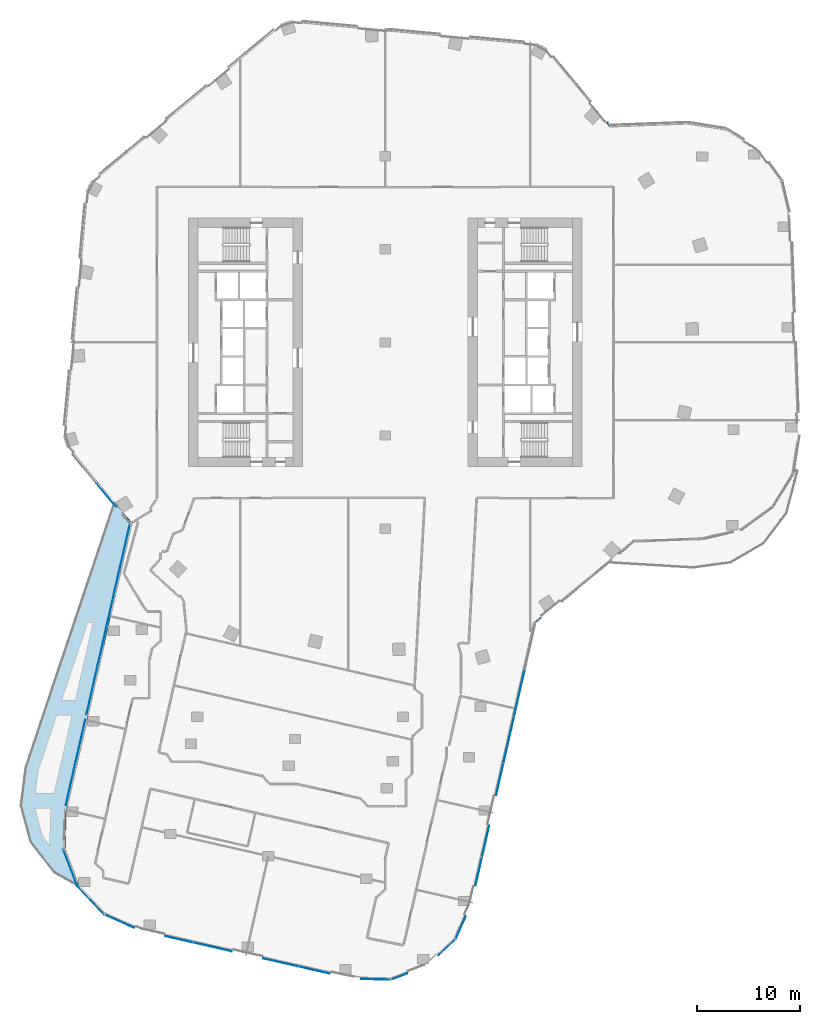
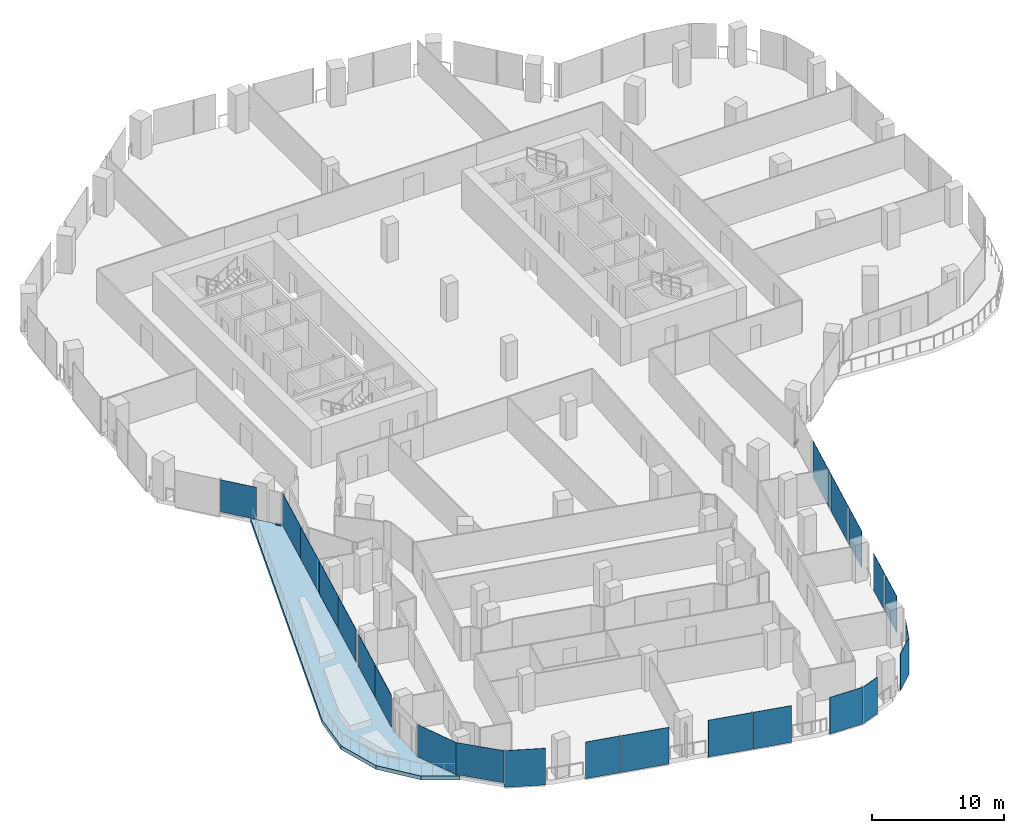
# One storey, part 12 of 28: 23 plates, 3 members, 1 slab, 13 elements without a shape of their own.
"""IFC4 building model written with IfcOpenShell, lengths in metres."""

from ifc_helpers import new_model, si_unit, direction, frame, origin, origin_2d, place, context, subcontext, project, spatial, polyline, rectangle, outline, extrude, material, layer, layer_set, material_profile, profile_set, type_object, element, aggregate, save


model = new_model("IFC4")

# Units and contexts
model_context = context("Model", 3, precision=1e-05, world=origin(), true_north=direction((0.0, 1.0)))
body_context = subcontext(model_context, "Body", "Model", "MODEL_VIEW")
ifc_project = project(units=[si_unit("LENGTHUNIT", "METRE"), si_unit("AREAUNIT", "SQUARE_METRE"), si_unit("VOLUMEUNIT", "CUBIC_METRE"), si_unit("PLANEANGLEUNIT", "RADIAN"), si_unit("MASSUNIT", "GRAM", prefix="KILO")], contexts=[model_context])

# Site, building, storey
site_placement = place(None, origin())
site = spatial("IfcSite", under=ifc_project, at=site_placement, CompositionType="ELEMENT")
building_placement = place(site_placement, origin())
building = spatial("IfcBuilding", under=site, at=building_placement, Name="Orlundy Tower", CompositionType="ELEMENT")
storey_placement = place(building_placement, frame((0.0, 0.0, 167.10009765625)))
storey = spatial("IfcBuildingStorey", under=building, at=storey_placement, Name="L43", CompositionType="ELEMENT", Elevation=167.10009765625)

# Curtain wall, member
ifc_material_1 = material(Name="Aluminium bronze anodised", Category="aluminium")
curtain_wall_type = type_object("IfcCurtainWallType", Name="CW1 wall", PredefinedType="NOTDEFINED", material=ifc_material_1)
curtain_wall_1_placement = place(storey_placement, origin())
curtain_wall_1 = element("IfcCurtainWall", 1, at=curtain_wall_1_placement, inside=storey, type_object=curtain_wall_type, Name="CW1 run 01", PredefinedType="NOTDEFINED")
ifc_material_2 = material(Name="Aluminium bronze anodised", Category="aluminium")
ifc_material_profile = material_profile(ifc_material_2, rectangle(XDim=0.179931640625, YDim=0.1201171875, at=origin_2d()), Name="CW1 transom 180x120")
ifc_profile_set = profile_set([ifc_material_profile], Name="Aluminium bronze anodised")
member_type = type_object("IfcMemberType", Name="CW1 transom 180x120", PredefinedType="USERDEFINED", material=ifc_profile_set)
member_1_placement = place(storey_placement, frame((-24.64599609375, -17.41796875, 0.059814453125), z_axis=(-0.638484250008, 0.769634889081, 0.0), x_axis=(-0.769634889081, -0.638484250008, 0.0)))
member_1 = element("IfcMember", 2, at=member_1_placement, type_object=member_type, Name="CW1 transom", ObjectType="TRANSOM", PredefinedType="USERDEFINED", context=body_context, shape_type="SweptSolid", body=[
    extrude(rectangle(XDim=0.179931640625, YDim=0.1201171875, at=origin_2d()), origin(), (0.0, 0.0, 1.0), 0.523193359375),
])

curtain_wall_2_placement = place(storey_placement, origin())
curtain_wall_2 = element("IfcCurtainWall", 3, at=curtain_wall_2_placement, inside=storey, type_object=curtain_wall_type, Name="CW1 run 05", PredefinedType="NOTDEFINED")
member_2_placement = place(storey_placement, frame((21.413330078125, 21.315673828125, -0.360107421875), z_axis=(0.638344869831, -0.769750496694, 0.0), x_axis=(0.769750496694, 0.638344869831, 0.0)))
member_2 = element("IfcMember", 4, at=member_2_placement, type_object=member_type, Name="CW1 transom", ObjectType="TRANSOM", PredefinedType="USERDEFINED", context=body_context, shape_type="SweptSolid", body=[
    extrude(rectangle(XDim=0.179931640625, YDim=0.1201171875, at=origin_2d()), origin(), (0.0, 0.0, 1.0), 0.39208984375),
])
aggregate(curtain_wall_2, [member_2])

curtain_wall_3_placement = place(storey_placement, origin())
curtain_wall_3 = element("IfcCurtainWall", 5, at=curtain_wall_3_placement, inside=storey, type_object=curtain_wall_type, Name="CW1 run 017", PredefinedType="NOTDEFINED")
member_3_placement = place(storey_placement, frame((15.067138671875, -26.595458984375, -0.360107421875), z_axis=(-0.769912194939, -0.638149835136, 0.0), x_axis=(0.638149835136, -0.769912194939, 0.0)))
member_3 = element("IfcMember", 6, at=member_3_placement, type_object=member_type, Name="CW1 transom", ObjectType="TRANSOM", PredefinedType="USERDEFINED", context=body_context, shape_type="SweptSolid", body=[
    extrude(rectangle(XDim=0.179931640625, YDim=0.1201171875, at=origin_2d()), origin(), (0.0, 0.0, 1.0), 0.720703125),
])
aggregate(curtain_wall_3, [member_3])

# Curtain wall, plates
curtain_wall_4_placement = place(storey_placement, origin())
curtain_wall_4 = element("IfcCurtainWall", 7, at=curtain_wall_4_placement, inside=storey, type_object=curtain_wall_type, Name="CW1 run 00", PredefinedType="NOTDEFINED")
ifc_material_3 = material(Name="Tinted glass", Category="glass")
ifc_layer_1 = layer(ifc_material_3, 0.031982421875)
ifc_layer_set_1 = layer_set([ifc_layer_1], Name="CW1 glass panel 32")
plate_type = type_object("IfcPlateType", Name="CW1 glass panel 32", PredefinedType="CURTAIN_PANEL", material=ifc_layer_set_1)
plate_1_placement = place(storey_placement, frame((-30.400390625, -42.668701171875, 0.119873046875), z_axis=(0.0, 0.0, 1.0), x_axis=(0.222096733251, 0.97502463614, 0.0)))
plate_1 = element("IfcPlate", 8, at=plate_1_placement, type_object=plate_type, Name="CW1 panel", PredefinedType="CURTAIN_PANEL", context=body_context, shape_type="SweptSolid", body=[
    extrude(rectangle(XDim=4.1708984375, YDim=0.031982421875, at=origin_2d()), origin(), (0.0, 0.0, 1.0), 2.9599609375),
])
plate_2_placement = place(storey_placement, frame((-29.45654296875, -38.52490234375, 0.119873046875), z_axis=(0.0, 0.0, 1.0), x_axis=(0.222096733251, 0.97502463614, 0.0)))
plate_2 = element("IfcPlate", 9, at=plate_2_placement, type_object=plate_type, Name="CW1 panel", PredefinedType="CURTAIN_PANEL", context=body_context, shape_type="SweptSolid", body=[
    extrude(rectangle(XDim=4.228759765625, YDim=0.031982421875, at=origin_2d()), origin(), (0.0, 0.0, 1.0), 2.9599609375),
])
plate_3_placement = place(storey_placement, frame((-28.347412109375, -33.656005859375, 0.119873046875), z_axis=(0.0, 0.0, 1.0), x_axis=(0.222096733251, 0.97502463614, 0.0)))
plate_3 = element("IfcPlate", 10, at=plate_3_placement, type_object=plate_type, Name="CW1 panel", PredefinedType="CURTAIN_PANEL", context=body_context, shape_type="SweptSolid", body=[
    extrude(rectangle(XDim=4.705322265625, YDim=0.031982421875, at=origin_2d()), origin(), (0.0, 0.0, 1.0), 2.9599609375),
])
plate_4_placement = place(storey_placement, frame((-27.291259765625, -29.019287109375, 0.119873046875), z_axis=(0.0, 0.0, 1.0), x_axis=(0.222096733251, 0.97502463614, 0.0)))
plate_4 = element("IfcPlate", 11, at=plate_4_placement, type_object=plate_type, Name="CW1 panel", PredefinedType="CURTAIN_PANEL", context=body_context, shape_type="SweptSolid", body=[
    extrude(rectangle(XDim=4.705322265625, YDim=0.031982421875, at=origin_2d()), origin(), (0.0, 0.0, 1.0), 2.9599609375),
])
plate_5_placement = place(storey_placement, frame((-26.235107421875, -24.382568359375, 0.119873046875), z_axis=(0.0, 0.0, 1.0), x_axis=(0.222096733251, 0.97502463614, 0.0)))
plate_5 = element("IfcPlate", 12, at=plate_5_placement, type_object=plate_type, Name="CW1 panel", PredefinedType="CURTAIN_PANEL", context=body_context, shape_type="SweptSolid", body=[
    extrude(rectangle(XDim=4.705322265625, YDim=0.031982421875, at=origin_2d()), origin(), (0.0, 0.0, 1.0), 2.9599609375),
])
plate_6_placement = place(storey_placement, frame((-25.185302734375, -19.773193359375, 0.119873046875), z_axis=(0.0, 0.0, 1.0), x_axis=(0.222096733251, 0.97502463614, 0.0)))
plate_6 = element("IfcPlate", 13, at=plate_6_placement, type_object=plate_type, Name="CW1 panel", PredefinedType="CURTAIN_PANEL", context=body_context, shape_type="SweptSolid", body=[
    extrude(rectangle(XDim=4.649658203125, YDim=0.031982421875, at=origin_2d()), origin(), (0.0, 0.0, 1.0), 2.9599609375),
])
aggregate(curtain_wall_4, [plate_1, plate_2, plate_3, plate_4, plate_5, plate_6])

# Plate
plate_7_placement = place(storey_placement, frame((-26.939453125, -14.76806640625, 0.119873046875), z_axis=(0.0, 0.0, 1.0), x_axis=(-0.638299162368, 0.769788399055, 0.0)))
plate_7 = element("IfcPlate", 14, at=plate_7_placement, type_object=plate_type, Name="CW1 panel", PredefinedType="CURTAIN_PANEL", context=body_context, shape_type="SweptSolid", body=[
    extrude(rectangle(XDim=2.910400390625, YDim=0.031982421875, at=origin_2d()), origin(), (0.0, 0.0, 1.0), 2.9599609375),
])

aggregate(curtain_wall_1, [plate_7, member_1])

# Curtain wall, plates
curtain_wall_5_placement = place(storey_placement, origin())
curtain_wall_5 = element("IfcCurtainWall", 15, at=curtain_wall_5_placement, inside=storey, type_object=curtain_wall_type, Name="CW1 run 018", PredefinedType="NOTDEFINED")
plate_8_placement = place(storey_placement, frame((12.961181640625, -33.886962890625, -0.300048828125), z_axis=(0.0, 0.0, 1.0), x_axis=(-0.222106437373, -0.975022425628, 0.0)))
plate_8 = element("IfcPlate", 16, at=plate_8_placement, type_object=plate_type, Name="CW1 panel", PredefinedType="CURTAIN_PANEL", context=body_context, shape_type="SweptSolid", body=[
    extrude(rectangle(XDim=4.58056640625, YDim=0.031982421875, at=origin_2d()), origin(), (0.0, 0.0, 1.0), 3.3798828125),
])
plate_9_placement = place(storey_placement, frame((11.9326171875, -38.40185546875, -0.300048828125), z_axis=(0.0, 0.0, 1.0), x_axis=(-0.222106437373, -0.975022425628, 0.0)))
plate_9 = element("IfcPlate", 17, at=plate_9_placement, type_object=plate_type, Name="CW1 panel", PredefinedType="CURTAIN_PANEL", context=body_context, shape_type="SweptSolid", body=[
    extrude(rectangle(XDim=4.58056640625, YDim=0.031982421875, at=origin_2d()), origin(), (0.0, 0.0, 1.0), 3.3798828125),
])
plate_10_placement = place(storey_placement, frame((11.06494140625, -42.211181640625, -0.300048828125), z_axis=(0.0, 0.0, 1.0), x_axis=(-0.222106437373, -0.975022425628, 0.0)))
plate_10 = element("IfcPlate", 18, at=plate_10_placement, type_object=plate_type, Name="CW1 panel", PredefinedType="CURTAIN_PANEL", context=body_context, shape_type="SweptSolid", body=[
    extrude(rectangle(XDim=3.1328125, YDim=0.031982421875, at=origin_2d()), origin(), (0.0, 0.0, 1.0), 3.3798828125),
])
plate_11_placement = place(storey_placement, frame((9.702880859375, -48.1904296875, -0.300048828125), z_axis=(0.0, 0.0, 1.0), x_axis=(-0.222106437373, -0.975022425628, 0.0)))
plate_11 = element("IfcPlate", 19, at=plate_11_placement, type_object=plate_type, Name="CW1 panel", PredefinedType="CURTAIN_PANEL", context=body_context, shape_type="SweptSolid", body=[
    extrude(rectangle(XDim=3.02490234375, YDim=0.031982421875, at=origin_2d()), origin(), (0.0, 0.0, 1.0), 3.3798828125),
])
plate_12_placement = place(storey_placement, frame((9.042724609375, -51.0888671875, -0.300048828125), z_axis=(0.0, 0.0, 1.0), x_axis=(-0.222106437373, -0.975022425628, 0.0)))
plate_12 = element("IfcPlate", 20, at=plate_12_placement, type_object=plate_type, Name="CW1 panel", PredefinedType="CURTAIN_PANEL", context=body_context, shape_type="SweptSolid", body=[
    extrude(rectangle(XDim=2.820556640625, YDim=0.031982421875, at=origin_2d()), origin(), (0.0, 0.0, 1.0), 3.3798828125),
])
aggregate(curtain_wall_5, [plate_8, plate_9, plate_10, plate_11, plate_12])

# Curtain wall, plate
curtain_wall_6_placement = place(storey_placement, origin())
curtain_wall_6 = element("IfcCurtainWall", 21, at=curtain_wall_6_placement, inside=storey, type_object=curtain_wall_type, Name="CW1 run 019", PredefinedType="NOTDEFINED")
plate_13_placement = place(storey_placement, frame((7.2822265625, -56.562255859375, -0.300048828125), z_axis=(0.0, 0.0, 1.0), x_axis=(-0.408164927627, -0.912908205602, 0.0)))
plate_13 = element("IfcPlate", 22, at=plate_13_placement, type_object=plate_type, Name="CW1 panel", PredefinedType="CURTAIN_PANEL", context=body_context, shape_type="SweptSolid", body=[
    extrude(rectangle(XDim=2.3798828125, YDim=0.031982421875, at=origin_2d()), origin(), (0.0, 0.0, 1.0), 3.3798828125),
])
aggregate(curtain_wall_6, [plate_13])

curtain_wall_7_placement = place(storey_placement, origin())
curtain_wall_7 = element("IfcCurtainWall", 23, at=curtain_wall_7_placement, inside=storey, type_object=curtain_wall_type, Name="CW1 run 020", PredefinedType="NOTDEFINED")
plate_14_placement = place(storey_placement, frame((5.9794921875, -58.421630859375, -0.300048828125), z_axis=(0.0, 0.0, 1.0), x_axis=(-0.726391984534, -0.687280644864, 0.0)))
plate_14 = element("IfcPlate", 24, at=plate_14_placement, type_object=plate_type, Name="CW1 panel", PredefinedType="CURTAIN_PANEL", context=body_context, shape_type="SweptSolid", body=[
    extrude(rectangle(XDim=2.2490234375, YDim=0.031982421875, at=origin_2d()), origin(), (0.0, 0.0, 1.0), 3.3798828125),
])
aggregate(curtain_wall_7, [plate_14])

curtain_wall_8_placement = place(storey_placement, origin())
curtain_wall_8 = element("IfcCurtainWall", 25, at=curtain_wall_8_placement, inside=storey, type_object=curtain_wall_type, Name="CW1 run 021", PredefinedType="NOTDEFINED")
plate_15_placement = place(storey_placement, frame((1.333251953125, -61.281982421875, -0.300048828125), z_axis=(0.0, 0.0, 1.0), x_axis=(-0.934115354942, -0.356971292489, 0.0)))
plate_15 = element("IfcPlate", 26, at=plate_15_placement, type_object=plate_type, Name="CW1 panel", PredefinedType="CURTAIN_PANEL", context=body_context, shape_type="SweptSolid", body=[
    extrude(rectangle(XDim=1.713134765625, YDim=0.031982421875, at=origin_2d()), origin(), (0.0, 0.0, 1.0), 3.3798828125),
])
aggregate(curtain_wall_8, [plate_15])

curtain_wall_9_placement = place(storey_placement, origin())
curtain_wall_9 = element("IfcCurtainWall", 27, at=curtain_wall_9_placement, inside=storey, type_object=curtain_wall_type, Name="CW1 run 022", PredefinedType="NOTDEFINED")
plate_16_placement = place(storey_placement, frame((-0.89794921875, -61.54833984375, -0.300048828125), z_axis=(0.0, 0.0, 1.0), x_axis=(-0.999621254799, 0.02751993738, 0.0)))
plate_16 = element("IfcPlate", 28, at=plate_16_placement, type_object=plate_type, Name="CW1 panel", PredefinedType="CURTAIN_PANEL", context=body_context, shape_type="SweptSolid", body=[
    extrude(rectangle(XDim=2.86328125, YDim=0.031982421875, at=origin_2d()), origin(), (0.0, 0.0, 1.0), 3.3798828125),
])
aggregate(curtain_wall_9, [plate_16])

# Curtain wall, plates
curtain_wall_10_placement = place(storey_placement, origin())
curtain_wall_10 = element("IfcCurtainWall", 29, at=curtain_wall_10_placement, inside=storey, type_object=curtain_wall_type, Name="CW1 run 023", PredefinedType="NOTDEFINED")
plate_17_placement = place(storey_placement, frame((-6.847900390625, -60.658203125, -0.300048828125), z_axis=(0.0, 0.0, 1.0), x_axis=(-0.975026093537, 0.222090335048, 0.0)))
plate_17 = element("IfcPlate", 30, at=plate_17_placement, type_object=plate_type, Name="CW1 panel", PredefinedType="CURTAIN_PANEL", context=body_context, shape_type="SweptSolid", body=[
    extrude(rectangle(XDim=3.042236328125, YDim=0.031982421875, at=origin_2d()), origin(), (0.0, 0.0, 1.0), 3.3798828125),
])
plate_18_placement = place(storey_placement, frame((-10.0830078125, -59.92138671875, -0.300048828125), z_axis=(0.0, 0.0, 1.0), x_axis=(-0.975026093537, 0.222090335048, 0.0)))
plate_18 = element("IfcPlate", 31, at=plate_18_placement, type_object=plate_type, Name="CW1 panel", PredefinedType="CURTAIN_PANEL", context=body_context, shape_type="SweptSolid", body=[
    extrude(rectangle(XDim=3.493408203125, YDim=0.031982421875, at=origin_2d()), origin(), (0.0, 0.0, 1.0), 3.3798828125),
])
plate_19_placement = place(storey_placement, frame((-16.696533203125, -58.4150390625, -0.300048828125), z_axis=(0.0, 0.0, 1.0), x_axis=(-0.975026093537, 0.222090335048, 0.0)))
plate_19 = element("IfcPlate", 32, at=plate_19_placement, type_object=plate_type, Name="CW1 panel", PredefinedType="CURTAIN_PANEL", context=body_context, shape_type="SweptSolid", body=[
    extrude(rectangle(XDim=3.841064453125, YDim=0.031982421875, at=origin_2d()), origin(), (0.0, 0.0, 1.0), 3.3798828125),
])
plate_20_placement = place(storey_placement, frame((-19.928955078125, -57.6787109375, -0.300048828125), z_axis=(0.0, 0.0, 1.0), x_axis=(-0.975026093537, 0.222090335048, 0.0)))
plate_20 = element("IfcPlate", 33, at=plate_20_placement, type_object=plate_type, Name="CW1 panel", PredefinedType="CURTAIN_PANEL", context=body_context, shape_type="SweptSolid", body=[
    extrude(rectangle(XDim=2.689453125, YDim=0.031982421875, at=origin_2d()), origin(), (0.0, 0.0, 1.0), 3.3798828125),
])
aggregate(curtain_wall_10, [plate_17, plate_18, plate_19, plate_20])

# Curtain wall, plate
curtain_wall_11_placement = place(storey_placement, origin())
curtain_wall_11 = element("IfcCurtainWall", 34, at=curtain_wall_11_placement, inside=storey, type_object=curtain_wall_type, Name="CW1 run 024", PredefinedType="NOTDEFINED")
plate_21_placement = place(storey_placement, frame((-25.720458984375, -55.922607421875, -0.300048828125), z_axis=(0.0, 0.0, 1.0), x_axis=(-0.912908205602, 0.408164927627, 0.0)))
plate_21 = element("IfcPlate", 35, at=plate_21_placement, type_object=plate_type, Name="CW1 panel", PredefinedType="CURTAIN_PANEL", context=body_context, shape_type="SweptSolid", body=[
    extrude(rectangle(XDim=3.146728515625, YDim=0.031982421875, at=origin_2d()), origin(), (0.0, 0.0, 1.0), 3.3798828125),
])
aggregate(curtain_wall_11, [plate_21])

curtain_wall_12_placement = place(storey_placement, origin())
curtain_wall_12 = element("IfcCurtainWall", 36, at=curtain_wall_12_placement, inside=storey, type_object=curtain_wall_type, Name="CW1 run 025", PredefinedType="NOTDEFINED")
plate_22_placement = place(storey_placement, frame((-28.45263671875, -53.91015625, 0.119873046875), z_axis=(0.0, 0.0, 1.0), x_axis=(-0.68713828172, 0.726526655942, 0.0)))
plate_22 = element("IfcPlate", 37, at=plate_22_placement, type_object=plate_type, Name="CW1 panel", PredefinedType="CURTAIN_PANEL", context=body_context, shape_type="SweptSolid", body=[
    extrude(rectangle(XDim=3.77197265625, YDim=0.031982421875, at=origin_2d()), origin(), (0.0, 0.0, 1.0), 2.9599609375),
])
aggregate(curtain_wall_12, [plate_22])

curtain_wall_13_placement = place(storey_placement, origin())
curtain_wall_13 = element("IfcCurtainWall", 38, at=curtain_wall_13_placement, inside=storey, type_object=curtain_wall_type, Name="CW1 run 026", PredefinedType="NOTDEFINED")
plate_23_placement = place(storey_placement, frame((-30.422119140625, -50.778564453125, 0.119873046875), z_axis=(0.0, 0.0, 1.0), x_axis=(-0.357206695331, 0.934025361974, 0.0)))
plate_23 = element("IfcPlate", 39, at=plate_23_placement, type_object=plate_type, Name="CW1 panel", PredefinedType="CURTAIN_PANEL", context=body_context, shape_type="SweptSolid", body=[
    extrude(rectangle(XDim=3.771728515625, YDim=0.031982421875, at=origin_2d()), origin(), (0.0, 0.0, 1.0), 2.9599609375),
])
aggregate(curtain_wall_13, [plate_23])

# Slab
ifc_material_4 = material(Name="Concrete C45/55", Category="concrete")
ifc_layer_2 = layer(ifc_material_4, 0.35009765625)
ifc_layer_set_2 = layer_set([ifc_layer_2], Name="TERRACE SLAB 350 C45/55")
slab_type = type_object("IfcSlabType", Name="TERRACE SLAB 350 C45/55", PredefinedType="ROOF", material=ifc_layer_set_2)
slab_placement = place(storey_placement, frame((0.0, 0.0, -0.35009765625)))
element("IfcSlab", 40, at=slab_placement, inside=storey, type_object=slab_type, Name="Terrace slab L43-2", PredefinedType="ROOF", context=body_context, shape_type="SweptSolid", body=[
    extrude(outline(polyline([(-29.507080078125, -52.7099609375), (-32.054931640625, -51.25390625), (-34.324951171875, -48.322998046875), (-35.299072265625, -44.7470703125), (-34.83203125, -41.070068359375), (-26.23193359375, -15.365966796875), (-24.490966796875, -17.464111328125), (-30.827880859375, -45.283935546875), (-30.930908203125, -48.988037109375), (-29.507080078125, -52.7099609375)])), origin(), (0.0, 0.0, 1.0), 0.35009765625),
])

save(model, "model.ifc")
